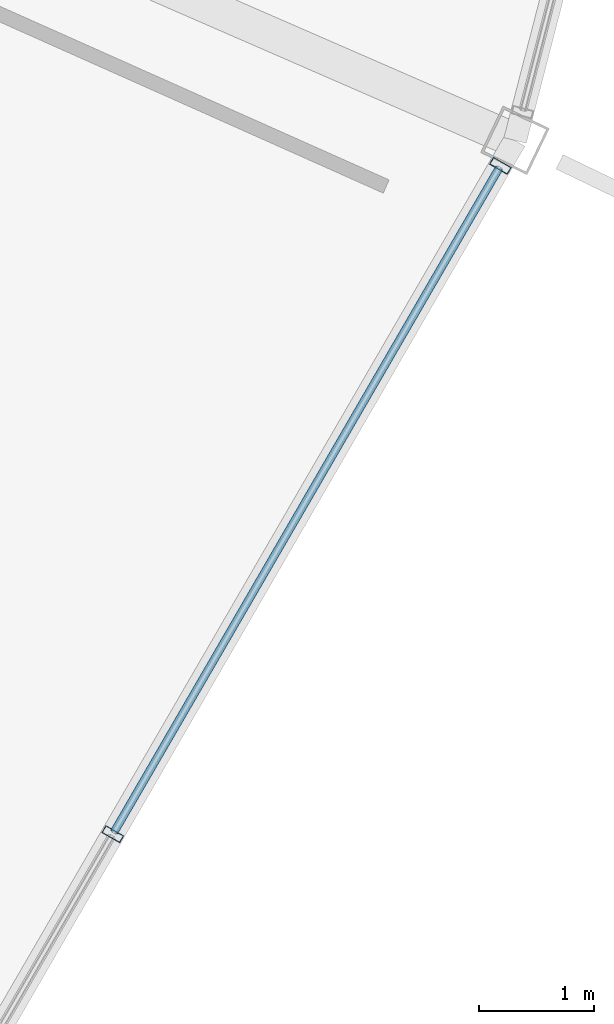
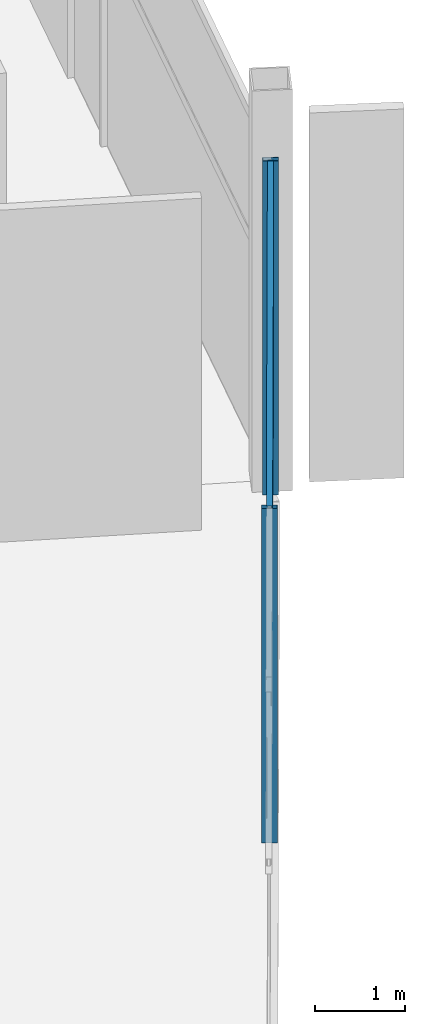
# One storey, part 63 of 186: 4 members, 1 element without a shape of its own.
"""IFC4 building model written with IfcOpenShell, lengths in metres."""

from ifc_helpers import new_model, si_unit, direction, frame, origin, origin_2d, place, context, subcontext, project, spatial, hollow_rectangle, extrude, material, layer, layer_set, material_profile, profile_set, type_object, element, aggregate, save


model = new_model("IFC4")

# Units and contexts
model_context = context("Model", 3, precision=1e-05, world=origin(), true_north=direction((0.0, 1.0)))
body_context = subcontext(model_context, "Body", "Model", "MODEL_VIEW")
ifc_project = project(units=[si_unit("LENGTHUNIT", "METRE"), si_unit("AREAUNIT", "SQUARE_METRE"), si_unit("VOLUMEUNIT", "CUBIC_METRE"), si_unit("PLANEANGLEUNIT", "RADIAN"), si_unit("MASSUNIT", "GRAM", prefix="KILO")], contexts=[model_context])

# Site, building, storey
site_placement = place(None, origin())
site = spatial("IfcSite", under=ifc_project, at=site_placement, CompositionType="ELEMENT")
building_placement = place(site_placement, origin())
building = spatial("IfcBuilding", under=site, at=building_placement, Name="Kazemori Nagisa Stadium", CompositionType="ELEMENT")
storey_placement = place(building_placement, frame((0.0, 0.0, 20.39990234375)))
storey = spatial("IfcBuildingStorey", under=building, at=storey_placement, Name="L04", CompositionType="ELEMENT", Elevation=20.39990234375)

# Curtain wall, members
ifc_material_1 = material(Name="Anodised aluminium 6063-T5", Category="aluminium")
ifc_layer = layer(ifc_material_1, 0.179931640625, Name="Anodised aluminium 6063-T5", Category="aluminium")
ifc_layer_set = layer_set([ifc_layer], Name="Anodised aluminium 6063-T5")
curtain_wall_type = type_object("IfcCurtainWallType", Name="CW_L04R3_101", PredefinedType="USERDEFINED", material=ifc_layer_set)
curtain_wall_placement = place(storey_placement, origin())
curtain_wall = element("IfcCurtainWall", 1, at=curtain_wall_placement, inside=storey, type_object=curtain_wall_type, Name="Unitised curtain wall CW-L04R3-101 L04", ObjectType="UNITISED CURTAIN WALL", PredefinedType="USERDEFINED")
ifc_material_2 = material(Name="Aluminium 6063-T5 anodised", Category="aluminium")
ifc_material_profile_1 = material_profile(ifc_material_2, hollow_rectangle(XDim=0.070068359375, YDim=0.179931640625, WallThickness=0.00390625, at=origin_2d()), Name="ALU-MULL-70x180x4")
ifc_profile_set_1 = profile_set([ifc_material_profile_1], Name="Aluminium 6063-T5 anodised")
member_type_1 = type_object("IfcMemberType", Name="Mullion_M01", PredefinedType="MULLION", material=ifc_profile_set_1)
member_1_placement = place(storey_placement, frame((208.379150390625, 57.204345703125, 0.0), z_axis=(0.0, 0.0, 1.0), x_axis=(0.501611590054, 0.865092950337, 0.0)))
member_1 = element("IfcMember", 2, at=member_1_placement, type_object=member_type_1, Name="Curtain wall mullion CW-L04R3-101-M3", PredefinedType="MULLION", context=body_context, shape_type="SweptSolid", body=[
    extrude(hollow_rectangle(XDim=0.070068359375, YDim=0.179931640625, WallThickness=0.00390625, at=origin_2d()), origin(), (0.0, 0.0, 1.0), 4.530029296875),
])
member_2_placement = place(storey_placement, frame((211.757080078125, 63.02978515625, 0.0), z_axis=(0.0, 0.0, 1.0), x_axis=(0.501611590054, 0.865092950337, 0.0)))
member_2 = element("IfcMember", 3, at=member_2_placement, type_object=member_type_1, Name="Curtain wall mullion CW-L04R3-101-M4", PredefinedType="MULLION", context=body_context, shape_type="SweptSolid", body=[
    extrude(hollow_rectangle(XDim=0.070068359375, YDim=0.179931640625, WallThickness=0.00390625, at=origin_2d()), origin(), (0.0, 0.0, 1.0), 4.530029296875),
])
ifc_material_profile_2 = material_profile(ifc_material_2, hollow_rectangle(XDim=0.070068359375, YDim=0.139892578125, WallThickness=0.00390625, at=origin_2d()), Name="ALU-TRAN-70x140x4")
ifc_profile_set_2 = profile_set([ifc_material_profile_2], Name="Aluminium 6063-T5 anodised")
member_type_2 = type_object("IfcMemberType", Name="Transom_T01", PredefinedType="USERDEFINED", material=ifc_profile_set_2)
member_3_placement = place(storey_placement, frame((208.38916015625, 57.221435546875, 2.80859375), z_axis=(0.50161984125, 0.865088165948, 0.0), x_axis=(-0.865088165948, 0.50161984125, 0.0)))
member_3 = element("IfcMember", 4, at=member_3_placement, type_object=member_type_2, Name="Curtain wall transom CW-L04R3-101-T3-mid", ObjectType="TRANSOM", PredefinedType="USERDEFINED", context=body_context, shape_type="SweptSolid", body=[
    extrude(hollow_rectangle(XDim=0.070068359375, YDim=0.139892578125, WallThickness=0.00390625, at=origin_2d()), origin(), (0.0, 0.0, 1.0), 6.694091796875),
])
member_4_placement = place(storey_placement, frame((208.38916015625, 57.221435546875, 4.460205078125), z_axis=(0.50161984125, 0.865088165948, 0.0), x_axis=(-0.865088165948, 0.50161984125, 0.0)))
member_4 = element("IfcMember", 5, at=member_4_placement, type_object=member_type_2, Name="Curtain wall transom CW-L04R3-101-T3-head", ObjectType="TRANSOM", PredefinedType="USERDEFINED", context=body_context, shape_type="SweptSolid", body=[
    extrude(hollow_rectangle(XDim=0.070068359375, YDim=0.139892578125, WallThickness=0.00390625, at=origin_2d()), origin(), (0.0, 0.0, 1.0), 6.694091796875),
])
aggregate(curtain_wall, [member_1, member_2, member_3, member_4])

save(model, "model.ifc")
